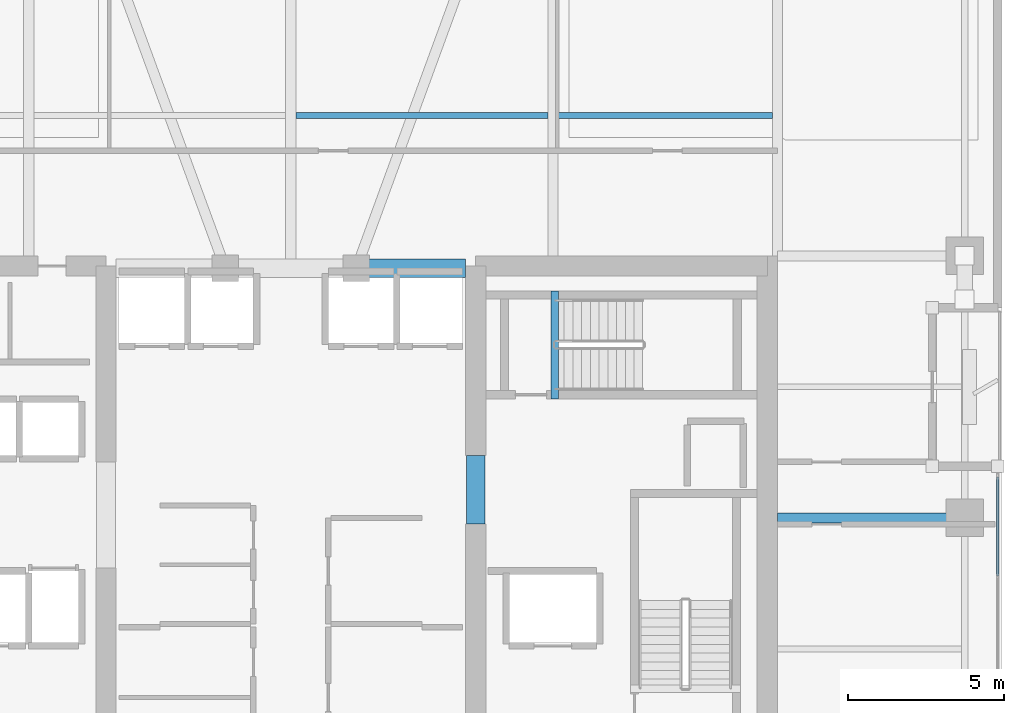
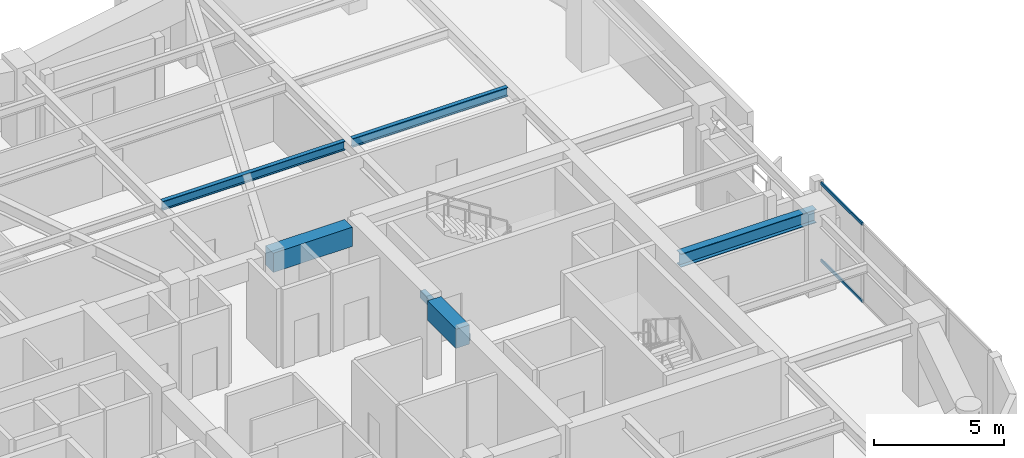
# One storey, part 10 of 30: 6 beams, 2 members, 1 element without a shape of its own.
"""IFC4 building model written with IfcOpenShell, lengths in metres."""

import ifcopenshell
import ifcopenshell.guid

model = None  # the IFC model being written
_history = None  # IfcOwnerHistory: only IFC2X3 demands one
_inside = {}  # id of a spatial element -> (the spatial element, [elements in it])
_under = {}  # id of a project, library or spatial element -> (it, [spatial elements below it])
_declared = {}  # id of a project -> (the project, [libraries it declares])
_typed = {}  # id of a type object -> (the type object, [elements of that type])
_made_of = {}  # id of a material, layer set ... -> (it, [elements and type objects made of it])


def new_model(schema):
    """Start an empty IFC model of exactly this schema.

    Asked for "IFC4X3", IfcOpenShell would pick the latest addendum, in which some entities
    have other attributes; the version numbers below select the first issue.
    IFC2X3 requires an IfcOwnerHistory on every rooted entity: one is made here for all.
    """
    global model, _history
    if schema == "IFC4X3":
        model = ifcopenshell.file(schema_version=(4, 3, 0, 0))
    else:
        model = ifcopenshell.file(schema=schema)
    _inside.clear()
    _under.clear()
    _declared.clear()
    _typed.clear()
    _made_of.clear()
    _history = None
    if model.schema == "IFC2X3":
        org = make("IfcOrganization", Name="unknown")
        user = make(
            "IfcPersonAndOrganization",
            ThePerson=make("IfcPerson", FamilyName="unknown"),
            TheOrganization=org,
        )
        app = make(
            "IfcApplication",
            ApplicationDeveloper=org,
            Version="unknown",
            ApplicationFullName="unknown",
            ApplicationIdentifier="unknown",
        )
        _history = make(
            "IfcOwnerHistory",
            OwningUser=user,
            OwningApplication=app,
            ChangeAction="ADDED",
            CreationDate=0,
        )
    return model


def make(cls, **values):
    """One entity of the class cls with the attributes given. An attribute that is None is left unset."""
    return model.create_entity(
        cls, **{name: value for name, value in values.items() if value is not None}
    )


def rooted(cls, **values):
    """An entity with a GlobalId (a new one), such as an element, a storey or a relation."""
    return make(cls, GlobalId=ifcopenshell.guid.new(), OwnerHistory=_history, **values)


def si_unit(unit_type, name, prefix=None):
    """IfcSIUnit, for example si_unit("LENGTHUNIT", "METRE", prefix="MILLI")."""
    return make("IfcSIUnit", UnitType=unit_type, Prefix=prefix, Name=name)


def assignment(units):
    """IfcUnitAssignment: the units of a project."""
    return None if units is None else make("IfcUnitAssignment", Units=units)


def point(xyz):
    """IfcCartesianPoint."""
    return None if xyz is None else make("IfcCartesianPoint", Coordinates=xyz)


def direction(xyz):
    """IfcDirection."""
    return None if xyz is None else make("IfcDirection", DirectionRatios=xyz)


def frame(location, z_axis=None, x_axis=None):
    """IfcAxis2Placement3D, a coordinate frame: its origin and axes. An axis left out is left unset."""
    return make(
        "IfcAxis2Placement3D",
        Location=point(location),
        Axis=direction(z_axis),
        RefDirection=direction(x_axis),
    )


def frame_2d(location, x_axis=None):
    """IfcAxis2Placement2D, a coordinate frame in the plane: its origin and x axis."""
    return make(
        "IfcAxis2Placement2D", Location=point(location), RefDirection=direction(x_axis)
    )


def origin():
    """The frame at (0, 0, 0) with its axes left unset."""
    return frame((0.0, 0.0, 0.0))


def origin_2d():
    """The frame at (0, 0) in the plane with its x axis left unset."""
    return frame_2d((0.0, 0.0))


def place(relative_to, where):
    """IfcLocalPlacement: puts the frame where relative to a parent placement (None: the world)."""
    return make(
        "IfcLocalPlacement", PlacementRelTo=relative_to, RelativePlacement=where
    )


def context(
    kind, dimensions, precision=None, world=None, true_north=None, identifier=None
):
    """IfcGeometricRepresentationContext, for example the 3D "Model" context."""
    return make(
        "IfcGeometricRepresentationContext",
        ContextIdentifier=identifier,
        ContextType=kind,
        CoordinateSpaceDimension=dimensions,
        Precision=precision,
        WorldCoordinateSystem=world,
        TrueNorth=true_north,
    )


def subcontext(parent, identifier, kind, view, scale=None):
    """IfcGeometricRepresentationSubContext, for example "Body" below "Model"."""
    return make(
        "IfcGeometricRepresentationSubContext",
        ContextIdentifier=identifier,
        ContextType=kind,
        ParentContext=parent,
        TargetScale=scale,
        TargetView=view,
    )


def project(units=None, contexts=None):
    """IfcProject with its units and contexts."""
    return rooted(
        "IfcProject",
        Name="project",
        RepresentationContexts=contexts,
        UnitsInContext=assignment(units),
    )


def spatial(cls, under=None, at=None, **own):
    """A site, building, storey or space (cls), placed at a placement, below another one or the project."""
    s = rooted(cls, ObjectPlacement=at, **own)
    if under is not None:
        _under.setdefault(under.id(), (under, []))[1].append(s)
    return s


def profile(cls, at=None, kind="AREA", **sizes):
    """A parametric profile (cls). Its sizes go by their IFC names, for example OverallWidth=200.0."""
    return make(cls, ProfileType=kind, Position=at, **sizes)


def rectangle(**sizes):
    """IfcRectangleProfileDef."""
    return profile("IfcRectangleProfileDef", **sizes)


def hollow_rectangle(**sizes):
    """IfcRectangleHollowProfileDef."""
    return profile("IfcRectangleHollowProfileDef", **sizes)


def i_section(**sizes):
    """IfcIShapeProfileDef."""
    return profile("IfcIShapeProfileDef", **sizes)


def extrude(swept, where, along, depth):
    """IfcExtrudedAreaSolid: the profile swept, set in the frame where, extruded along a direction by depth."""
    return make(
        "IfcExtrudedAreaSolid",
        SweptArea=swept,
        Position=where,
        ExtrudedDirection=direction(along),
        Depth=depth,
    )


def shape(context_of_items, identifier, shape_type, items):
    """IfcShapeRepresentation: the items that make up one representation, for example the "Body"."""
    return make(
        "IfcShapeRepresentation",
        ContextOfItems=context_of_items,
        RepresentationIdentifier=identifier,
        RepresentationType=shape_type,
        Items=items,
    )


def material(Name=None, Category=None):
    """IfcMaterial."""
    return make("IfcMaterial", Name=Name, Category=Category)


def layer(
    of_material, thickness, ventilated=None, Name=None, Category=None, Priority=None
):
    """IfcMaterialLayer: one layer of a wall or slab, of a material (None: an air gap)."""
    return make(
        "IfcMaterialLayer",
        Material=of_material,
        LayerThickness=thickness,
        IsVentilated=ventilated,
        Name=Name,
        Category=Category,
        Priority=Priority,
    )


def layer_set(layers, Name=None):
    """IfcMaterialLayerSet."""
    return make("IfcMaterialLayerSet", MaterialLayers=layers, LayerSetName=Name)


def material_profile(
    of_material, cross_section, Name=None, Category=None, Priority=None
):
    """IfcMaterialProfile: a cross section and its material."""
    return make(
        "IfcMaterialProfile",
        Name=Name,
        Material=of_material,
        Profile=cross_section,
        Priority=Priority,
        Category=Category,
    )


def profile_set(profiles, Name=None, composite=None):
    """IfcMaterialProfileSet."""
    return make(
        "IfcMaterialProfileSet",
        Name=Name,
        MaterialProfiles=profiles,
        CompositeProfile=composite,
    )


def made_of(thing, what):
    """Note that an element or type object is made of a material, layer set ...; save() writes the relation."""
    if what is not None:
        _made_of.setdefault(what.id(), (what, []))[1].append(thing)
    return thing


def type_object(cls, material=None, **own):
    """A type object (cls), such as IfcWallType, which elements share."""
    return made_of(rooted(cls, **own), material)


def element(
    cls,
    number,
    at=None,
    inside=None,
    cuts=None,
    type_object=None,
    material=None,
    context=None,
    identifier="Body",
    shape_type=None,
    held_by="IfcProductDefinitionShape",
    body=None,
    shapes=None,
    **own,
):
    """One element of the class cls, such as IfcWall. Its Tag is "e" and its number.

    at: its placement. inside: the storey or other place that contains it. cuts: it is an
    opening in that element (IfcRelVoidsElement). A single representation is given by context,
    identifier, shape_type and body (its items); several are given by shapes. held_by: the class
    of the entity that holds the representations. save() writes the other relations.
    """
    e = rooted(cls, Tag="e%d" % number, ObjectPlacement=at, **own)
    if body is not None:
        shapes = [shape(context, identifier, shape_type, body)]
    if shapes is not None:
        e.Representation = make(held_by, Representations=shapes)
    if inside is not None:
        _inside.setdefault(inside.id(), (inside, []))[1].append(e)
    if cuts is not None:
        rooted(
            "IfcRelVoidsElement", RelatingBuildingElement=cuts, RelatedOpeningElement=e
        )
    if type_object is not None:
        _typed.setdefault(type_object.id(), (type_object, []))[1].append(e)
    return made_of(e, material)


def aggregate(whole, parts):
    """IfcRelAggregates: a whole, such as a stair, and the parts it consists of."""
    return rooted("IfcRelAggregates", RelatingObject=whole, RelatedObjects=parts)


def save(model, path):
    """Write the relations noted so far, then the file.

    IfcRelAggregates (storeys below a building ...), IfcRelContainedInSpatialStructure (elements
    in a storey), IfcRelDefinesByType, IfcRelAssociatesMaterial and IfcRelDeclares: one each for
    every whole, place, type object, material and project.
    """
    for whole, parts in _under.values():
        aggregate(whole, parts)
    for where, things in _inside.values():
        rooted(
            "IfcRelContainedInSpatialStructure",
            RelatedElements=things,
            RelatingStructure=where,
        )
    for kind, things in _typed.values():
        rooted("IfcRelDefinesByType", RelatedObjects=things, RelatingType=kind)
    for what, things in _made_of.values():
        rooted("IfcRelAssociatesMaterial", RelatedObjects=things, RelatingMaterial=what)
    for by, libraries in _declared.values():
        rooted("IfcRelDeclares", RelatingContext=by, RelatedDefinitions=libraries)
    model.write(path)


model = new_model("IFC4")

# Units and contexts
model_context = context("Model", 3, precision=1e-05, world=origin(), true_north=direction((0.0, 1.0)))
body_context = subcontext(model_context, "Body", "Model", "MODEL_VIEW")
ifc_project = project(units=[si_unit("LENGTHUNIT", "METRE"), si_unit("AREAUNIT", "SQUARE_METRE"), si_unit("VOLUMEUNIT", "CUBIC_METRE"), si_unit("PLANEANGLEUNIT", "RADIAN"), si_unit("MASSUNIT", "GRAM", prefix="KILO")], contexts=[model_context])

# Site, building, storey
site_placement = place(None, origin())
site = spatial("IfcSite", under=ifc_project, at=site_placement, CompositionType="ELEMENT")
building_placement = place(site_placement, origin())
building = spatial("IfcBuilding", under=site, at=building_placement, Name="Kiyonajd Concourse Tower", CompositionType="ELEMENT")
storey_placement = place(building_placement, frame((0.0, 0.0, 198.0)))
storey = spatial("IfcBuildingStorey", under=building, at=storey_placement, Name="L50", CompositionType="ELEMENT", Elevation=198.0)

# Beams
ifc_material_1 = material(Name="Concrete C60/75", Category="concrete")
ifc_material_profile_1 = material_profile(ifc_material_1, rectangle(XDim=0.60009765625, YDim=0.89990234375, at=origin_2d()), Name="RCBM-600x900")
ifc_profile_set_1 = profile_set([ifc_material_profile_1], Name="Concrete C60/75")
beam_type_1 = type_object("IfcBeamType", Name="BM-COUP-900", PredefinedType="LINTEL", material=ifc_profile_set_1)
beam_1_placement = place(storey_placement, frame((50.10009765625, 44.0, 3.22998046875), z_axis=(1.0, 0.0, 0.0), x_axis=(0.0, 1.0, 0.0)))
element("IfcBeam", 1, at=beam_1_placement, inside=storey, type_object=beam_type_1, Name="L50 Core Coupling Beam N3", PredefinedType="LINTEL", context=body_context, shape_type="SweptSolid", body=[
    extrude(rectangle(XDim=0.60009765625, YDim=0.89990234375, at=origin_2d()), origin(), (0.0, 0.0, 1.0), 3.5),
])
beam_2_placement = place(storey_placement, frame((53.925048828125, 35.800048828125, 3.22998046875), z_axis=(0.0, 1.0, 0.0), x_axis=(-1.0, 0.0, 0.0)))
element("IfcBeam", 2, at=beam_2_placement, inside=storey, type_object=beam_type_1, Name="L50 East Core Throat Coupling Lintel", PredefinedType="LINTEL", context=body_context, shape_type="SweptSolid", body=[
    extrude(rectangle(XDim=0.60009765625, YDim=0.89990234375, at=origin_2d()), origin(), (0.0, 0.0, 1.0), 2.199951171875),
])
ifc_material_2 = material(Name="Steel ASTM A992 Grade 50", Category="steel")
ifc_material_profile_2 = material_profile(ifc_material_2, i_section(OverallWidth=0.180908203125, OverallDepth=0.4169921875, WebThickness=0.010986328125, FlangeThickness=0.018310546875, at=origin_2d()), Name="W410X85")
ifc_profile_set_2 = profile_set([ifc_material_profile_2], Name="Steel ASTM A992 Grade 50")
beam_type_2 = type_object("IfcBeamType", Name="BM-JST-410", PredefinedType="JOIST", material=ifc_profile_set_2)
beam_3_placement = place(storey_placement, frame((48.16357421875, 48.89990234375, 3.471435546875), z_axis=(1.0, 0.0, 0.0), x_axis=(0.0, 1.0, 0.0)))
element("IfcBeam", 3, at=beam_3_placement, inside=storey, type_object=beam_type_2, Name="L50 Secondary Floor Joist", PredefinedType="JOIST", context=body_context, shape_type="SweptSolid", body=[
    extrude(i_section(OverallWidth=0.180908203125, OverallDepth=0.4169921875, WebThickness=0.010986328125, FlangeThickness=0.018310546875, at=origin_2d()), origin(), (0.0, 0.0, 1.0), 8.072998046875),
])
beam_4_placement = place(storey_placement, frame((56.5634765625, 48.89990234375, 3.471435546875), z_axis=(1.0, 0.0, 0.0), x_axis=(0.0, 1.0, 0.0)))
element("IfcBeam", 4, at=beam_4_placement, inside=storey, type_object=beam_type_2, Name="L50 Secondary Floor Joist", PredefinedType="JOIST", context=body_context, shape_type="SweptSolid", body=[
    extrude(i_section(OverallWidth=0.180908203125, OverallDepth=0.4169921875, WebThickness=0.010986328125, FlangeThickness=0.018310546875, at=origin_2d()), origin(), (0.0, 0.0, 1.0), 6.873046875),
])
ifc_material_3 = material(Name="Concrete C50/60", Category="concrete")
ifc_material_profile_3 = material_profile(ifc_material_3, rectangle(XDim=0.239990234375, YDim=0.320068359375, at=origin_2d()), Name="RCBM-240x320")
ifc_profile_set_3 = profile_set([ifc_material_profile_3], Name="Concrete C50/60")
beam_type_3 = type_object("IfcBeamType", Name="BM-LNT-250", PredefinedType="LINTEL", material=ifc_profile_set_3)
beam_5_placement = place(storey_placement, frame((56.4599609375, 39.820068359375, -0.159912109375), z_axis=(0.0, 1.0, 0.0), x_axis=(-1.0, 0.0, 0.0)))
element("IfcBeam", 5, at=beam_5_placement, inside=storey, type_object=beam_type_3, Name="L50 Stair ST3 Threshold Support Beam", PredefinedType="LINTEL", context=body_context, shape_type="SweptSolid", body=[
    extrude(rectangle(XDim=0.239990234375, YDim=0.320068359375, at=origin_2d()), origin(), (0.0, 0.0, 1.0), 3.4599609375),
])
ifc_material_profile_4 = material_profile(ifc_material_2, i_section(OverallWidth=0.326904296875, OverallDepth=0.6220703125, WebThickness=0.015380859375, FlangeThickness=0.0244140625, at=origin_2d()), Name="W610X195")
ifc_profile_set_4 = profile_set([ifc_material_profile_4], Name="Steel ASTM A992 Grade 50")
beam_type_4 = type_object("IfcBeamType", Name="BM-TWR-610A", PredefinedType="BEAM", material=ifc_profile_set_4)
beam_6_placement = place(storey_placement, frame((63.60009765625, 36.0, 3.368896484375), z_axis=(1.0, 0.0, 0.0), x_axis=(0.0, 1.0, 0.0)))
element("IfcBeam", 6, at=beam_6_placement, inside=storey, type_object=beam_type_4, Name="L50 East Lease Girder", PredefinedType="BEAM", context=body_context, shape_type="SweptSolid", body=[
    extrude(i_section(OverallWidth=0.326904296875, OverallDepth=0.6220703125, WebThickness=0.015380859375, FlangeThickness=0.0244140625, at=origin_2d()), origin(), (0.0, 0.0, 1.0), 6.0),
])

# Curtain wall, members
ifc_material_4 = material(Name="Thermally Broken Anodised Aluminium", Category="aluminium")
ifc_layer = layer(ifc_material_4, 0.179931640625)
ifc_layer_set = layer_set([ifc_layer], Name="Thermally Broken Anodised Aluminium")
curtain_wall_type = type_object("IfcCurtainWallType", Name="CW-SYS-03", PredefinedType="NOTDEFINED", material=ifc_layer_set)
curtain_wall_placement = place(storey_placement, origin())
curtain_wall = element("IfcCurtainWall", 7, at=curtain_wall_placement, inside=storey, type_object=curtain_wall_type, Name="L50 Unitised Curtain Wall CW3", PredefinedType="NOTDEFINED")
ifc_material_profile_5 = material_profile(ifc_material_4, hollow_rectangle(XDim=0.06494140625, YDim=0.139892578125, WallThickness=0.00390625, at=origin_2d()), Name="TRAN-65x140")
ifc_profile_set_5 = profile_set([ifc_material_profile_5], Name="Thermally Broken Anodised Aluminium")
member_type = type_object("IfcMemberType", Name="MB-CW-TRAN1", PredefinedType="USERDEFINED", material=ifc_profile_set_5)
member_1_placement = place(storey_placement, frame((70.659912109375, 37.304931640625, 0.032470703125), z_axis=(0.0, -1.0, 0.0), x_axis=(1.0, 0.0, 0.0)))
member_1 = element("IfcMember", 8, at=member_1_placement, type_object=member_type, Name="CW3 transom 1.1", ObjectType="TRANSOM", PredefinedType="USERDEFINED", context=body_context, shape_type="SweptSolid", body=[
    extrude(hollow_rectangle(XDim=0.06494140625, YDim=0.139892578125, WallThickness=0.00390625, at=origin_2d()), origin(), (0.0, 0.0, 1.0), 3.167724609375),
])
member_2_placement = place(storey_placement, frame((70.659912109375, 37.304931640625, 3.6474609375), z_axis=(0.0, -1.0, 0.0), x_axis=(1.0, 0.0, 0.0)))
member_2 = element("IfcMember", 9, at=member_2_placement, type_object=member_type, Name="CW3 transom 1.2", ObjectType="TRANSOM", PredefinedType="USERDEFINED", context=body_context, shape_type="SweptSolid", body=[
    extrude(hollow_rectangle(XDim=0.06494140625, YDim=0.139892578125, WallThickness=0.00390625, at=origin_2d()), origin(), (0.0, 0.0, 1.0), 3.167724609375),
])
aggregate(curtain_wall, [member_1, member_2])

save(model, "model.ifc")
